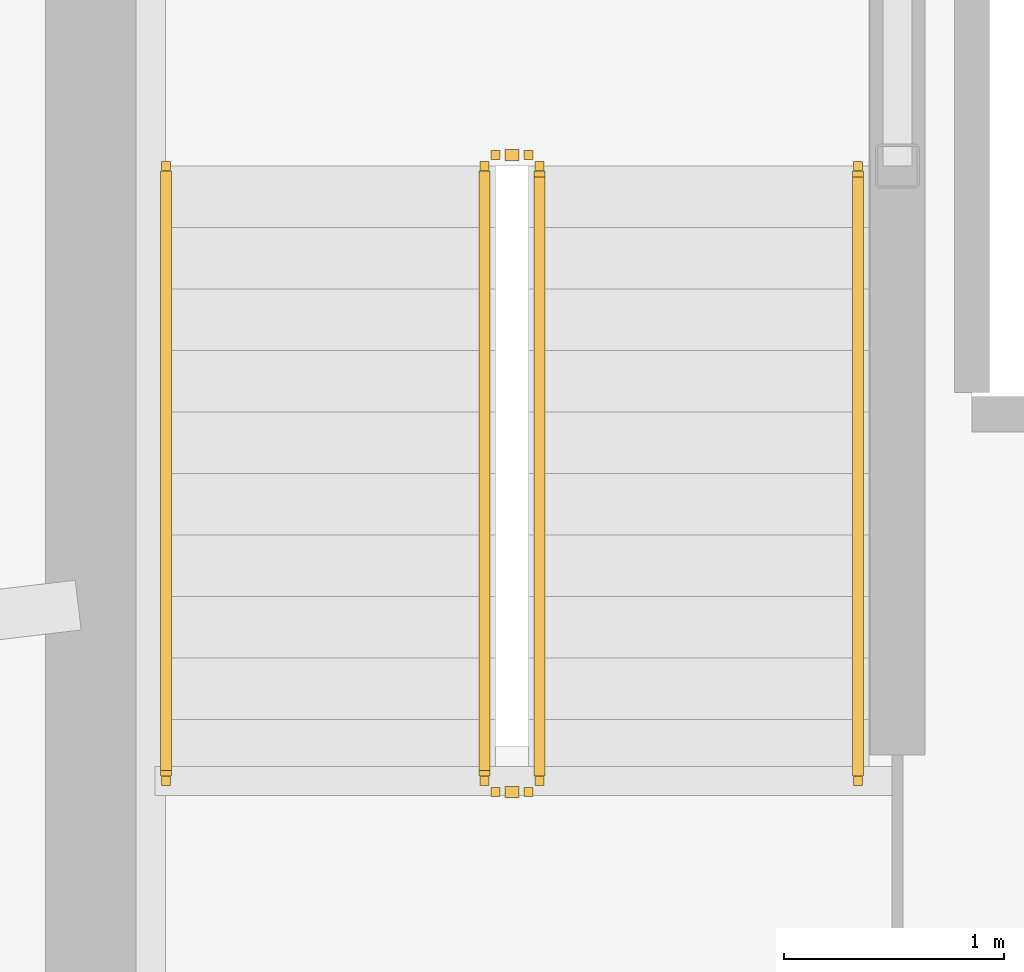
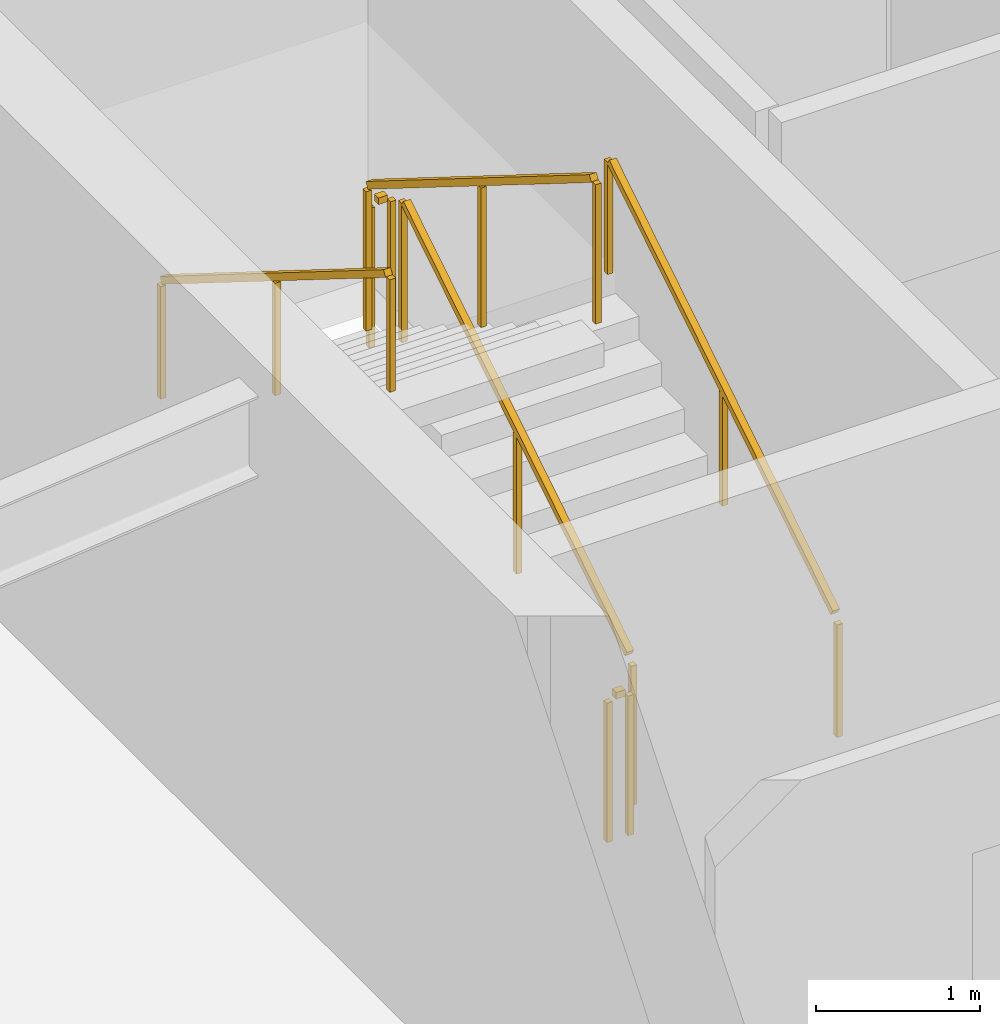
# One storey, part 25 of 30: 6 railings.
"""IFC4 building model written with IfcOpenShell, lengths in metres."""

from ifc_helpers import new_model, si_unit, direction, frame, origin, origin_2d, place, context, subcontext, project, spatial, rectangle, extrude, material, type_object, element, save


model = new_model("IFC4")

# Units and contexts
model_context = context("Model", 3, precision=1e-05, world=origin(), true_north=direction((0.0, 1.0)))
body_context = subcontext(model_context, "Body", "Model", "MODEL_VIEW")
ifc_project = project(units=[si_unit("LENGTHUNIT", "METRE"), si_unit("AREAUNIT", "SQUARE_METRE"), si_unit("VOLUMEUNIT", "CUBIC_METRE"), si_unit("PLANEANGLEUNIT", "RADIAN"), si_unit("MASSUNIT", "GRAM", prefix="KILO")], contexts=[model_context])

# Site, building, storey
site_placement = place(None, origin())
site = spatial("IfcSite", under=ifc_project, at=site_placement, CompositionType="ELEMENT")
building_placement = place(site_placement, origin())
building = spatial("IfcBuilding", under=site, at=building_placement, Name="Kazma Halo Residences", CompositionType="ELEMENT")
storey_placement = place(building_placement, frame((0.0, 0.0, 298.300048828125)))
storey = spatial("IfcBuildingStorey", under=building, at=storey_placement, Name="L75", CompositionType="ELEMENT", Elevation=298.300048828125)

# Railings
ifc_material_1 = material(Name="Painted Steel S355", Category="steel")
railing_type_1 = type_object("IfcRailingType", Name="RLG-STAIR-GRD-1100", PredefinedType="GUARDRAIL", material=ifc_material_1)
railing_1_placement = place(storey_placement, frame((39.550048828125, 39.949951171875, 0.175048828125)))
element("IfcRailing", 1, at=railing_1_placement, inside=storey, type_object=railing_type_1, Name="L75 ST-01 stair guard 1", PredefinedType="GUARDRAIL", context=body_context, shape_type="SweptSolid", body=[
    extrude(rectangle(XDim=0.050048828125, YDim=0.050048828125, at=origin_2d()), frame((0.0, 0.0361328125, 1.09765625), z_axis=(0.0, 0.848002457836, 0.529992293815), x_axis=(-1.0, 0.0, 0.0)), (0.0, 0.0, 1.0), 3.216796875),
    extrude(rectangle(XDim=0.0400390625, YDim=0.0400390625, at=origin_2d()), origin(), (0.0, 0.0, 1.0), 1.0380859375),
    extrude(rectangle(XDim=0.0400390625, YDim=0.0400390625, at=origin_2d()), frame((0.0, 1.39990234375, 0.875)), (0.0, 0.0, 1.0), 1.0380859375),
    extrude(rectangle(XDim=0.0400390625, YDim=0.0400390625, at=origin_2d()), frame((0.0, 2.800048828125, 1.75)), (0.0, 0.0, 1.0), 1.0380859375),
])
railing_2_placement = place(storey_placement, frame((39.5, 42.800048828125, 1.925048828125)))
element("IfcRailing", 2, at=railing_2_placement, inside=storey, type_object=railing_type_1, Name="L75 ST-01 stair guard 2", PredefinedType="GUARDRAIL", context=body_context, shape_type="SweptSolid", body=[
    extrude(rectangle(XDim=0.050048828125, YDim=0.050048828125, at=origin_2d()), frame((-0.04248046875, 0.0, 1.0751953125), z_axis=(-1.0, 0.0, 0.0), x_axis=(0.0, -1.0, 0.0)), (0.0, 0.0, 1.0), 0.06494140625),
    extrude(rectangle(XDim=0.0400390625, YDim=0.0400390625, at=origin_2d()), origin(), (0.0, 0.0, 1.0), 1.0380859375),
    extrude(rectangle(XDim=0.0400390625, YDim=0.0400390625, at=origin_2d()), frame((-0.14990234375, 0.0, 0.0)), (0.0, 0.0, 1.0), 1.0380859375),
])
railing_3_placement = place(storey_placement, frame((39.300048828125, 42.75, 2.099853515625)))
element("IfcRailing", 3, at=railing_3_placement, inside=storey, type_object=railing_type_1, Name="L75 ST-01 stair guard 3", PredefinedType="GUARDRAIL", context=body_context, shape_type="SweptSolid", body=[
    extrude(rectangle(XDim=0.050048828125, YDim=0.050048828125, at=origin_2d()), frame((0.0, -0.0361328125, 1.09765625), z_axis=(0.0, -0.848002457836, 0.529992293815), x_axis=(1.0, 0.0, 0.0)), (0.0, 0.0, 1.0), 3.216796875),
    extrude(rectangle(XDim=0.0400390625, YDim=0.0400390625, at=origin_2d()), origin(), (0.0, 0.0, 1.0), 1.0380859375),
    extrude(rectangle(XDim=0.0400390625, YDim=0.0400390625, at=origin_2d()), frame((0.0, -1.39990234375, 0.875)), (0.0, 0.0, 1.0), 1.0380859375),
    extrude(rectangle(XDim=0.0400390625, YDim=0.0400390625, at=origin_2d()), frame((0.0, -2.800048828125, 1.75)), (0.0, 0.0, 1.0), 1.0380859375),
])
railing_4_placement = place(storey_placement, frame((39.5, 39.89990234375, 0.0)))
element("IfcRailing", 4, at=railing_4_placement, inside=storey, type_object=railing_type_1, Name="L75 ST-01 stair guard 4", PredefinedType="GUARDRAIL", context=body_context, shape_type="SweptSolid", body=[
    extrude(rectangle(XDim=0.050048828125, YDim=0.050048828125, at=origin_2d()), frame((-0.04248046875, 0.0, 1.0751953125), z_axis=(-1.0, 0.0, 0.0), x_axis=(0.0, -1.0, 0.0)), (0.0, 0.0, 1.0), 0.06494140625),
    extrude(rectangle(XDim=0.0400390625, YDim=0.0400390625, at=origin_2d()), origin(), (0.0, 0.0, 1.0), 1.0380859375),
    extrude(rectangle(XDim=0.0400390625, YDim=0.0400390625, at=origin_2d()), frame((-0.14990234375, 0.0, 0.0)), (0.0, 0.0, 1.0), 1.0380859375),
])
ifc_material_2 = material(Name="Brushed Stainless Steel", Category="steel")
railing_type_2 = type_object("IfcRailingType", Name="RLG-STAIR-HND-900", PredefinedType="HANDRAIL", material=ifc_material_2)
railing_5_placement = place(storey_placement, frame((41.0, 39.949951171875, 0.175048828125)))
element("IfcRailing", 5, at=railing_5_placement, inside=storey, type_object=railing_type_2, Name="L75 ST-01 stair handrail 1", PredefinedType="HANDRAIL", context=body_context, shape_type="SweptSolid", body=[
    extrude(rectangle(XDim=0.050048828125, YDim=0.050048828125, at=origin_2d()), frame((0.0, 0.0361328125, 0.8974609375), z_axis=(0.0, 0.848002457836, 0.529992293815), x_axis=(-1.0, 0.0, 0.0)), (0.0, 0.0, 1.0), 3.216796875),
    extrude(rectangle(XDim=0.0400390625, YDim=0.0400390625, at=origin_2d()), origin(), (0.0, 0.0, 1.0), 0.837890625),
    extrude(rectangle(XDim=0.0400390625, YDim=0.0400390625, at=origin_2d()), frame((0.0, 1.39990234375, 0.875)), (0.0, 0.0, 1.0), 0.837890625),
    extrude(rectangle(XDim=0.0400390625, YDim=0.0400390625, at=origin_2d()), frame((0.0, 2.800048828125, 1.75)), (0.0, 0.0, 1.0), 0.837890625),
])
railing_6_placement = place(storey_placement, frame((37.85009765625, 42.75, 2.099853515625)))
element("IfcRailing", 6, at=railing_6_placement, inside=storey, type_object=railing_type_2, Name="L75 ST-01 stair handrail 2", PredefinedType="HANDRAIL", context=body_context, shape_type="SweptSolid", body=[
    extrude(rectangle(XDim=0.050048828125, YDim=0.050048828125, at=origin_2d()), frame((0.0, -0.0361328125, 0.8974609375), z_axis=(0.0, -0.848002457836, 0.529992293815), x_axis=(1.0, 0.0, 0.0)), (0.0, 0.0, 1.0), 3.216796875),
    extrude(rectangle(XDim=0.0400390625, YDim=0.0400390625, at=origin_2d()), origin(), (0.0, 0.0, 1.0), 0.837890625),
    extrude(rectangle(XDim=0.0400390625, YDim=0.0400390625, at=origin_2d()), frame((0.0, -1.39990234375, 0.875)), (0.0, 0.0, 1.0), 0.837890625),
    extrude(rectangle(XDim=0.0400390625, YDim=0.0400390625, at=origin_2d()), frame((0.0, -2.800048828125, 1.75)), (0.0, 0.0, 1.0), 0.837890625),
])

save(model, "model.ifc")
